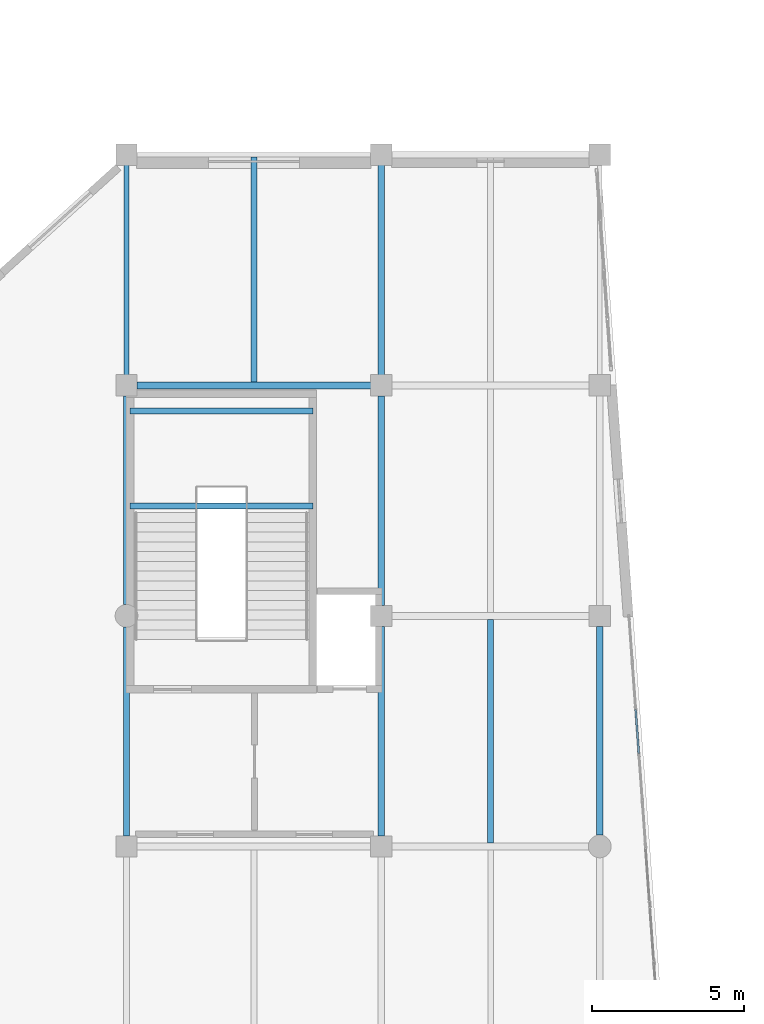
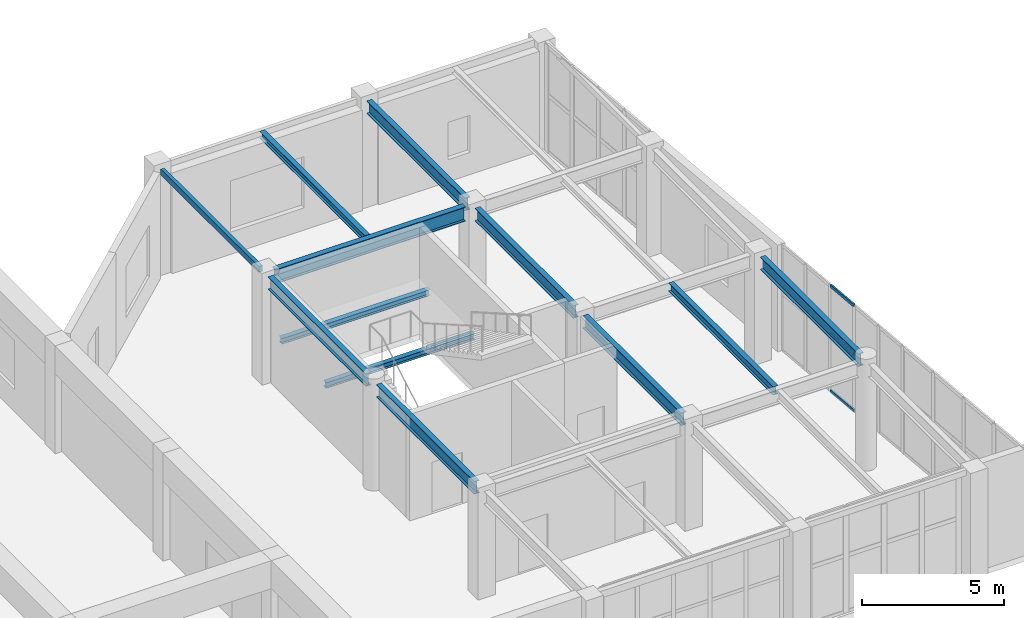
# One storey, part 26 of 72: 12 beams, 3 members, 1 element without a shape of its own.
"""IFC4 building model written with IfcOpenShell, lengths in metres."""

import ifcopenshell
import ifcopenshell.guid

model = None  # the IFC model being written
_history = None  # IfcOwnerHistory: only IFC2X3 demands one
_inside = {}  # id of a spatial element -> (the spatial element, [elements in it])
_under = {}  # id of a project, library or spatial element -> (it, [spatial elements below it])
_declared = {}  # id of a project -> (the project, [libraries it declares])
_typed = {}  # id of a type object -> (the type object, [elements of that type])
_made_of = {}  # id of a material, layer set ... -> (it, [elements and type objects made of it])


def new_model(schema):
    """Start an empty IFC model of exactly this schema.

    Asked for "IFC4X3", IfcOpenShell would pick the latest addendum, in which some entities
    have other attributes; the version numbers below select the first issue.
    IFC2X3 requires an IfcOwnerHistory on every rooted entity: one is made here for all.
    """
    global model, _history
    if schema == "IFC4X3":
        model = ifcopenshell.file(schema_version=(4, 3, 0, 0))
    else:
        model = ifcopenshell.file(schema=schema)
    _inside.clear()
    _under.clear()
    _declared.clear()
    _typed.clear()
    _made_of.clear()
    _history = None
    if model.schema == "IFC2X3":
        org = make("IfcOrganization", Name="unknown")
        user = make(
            "IfcPersonAndOrganization",
            ThePerson=make("IfcPerson", FamilyName="unknown"),
            TheOrganization=org,
        )
        app = make(
            "IfcApplication",
            ApplicationDeveloper=org,
            Version="unknown",
            ApplicationFullName="unknown",
            ApplicationIdentifier="unknown",
        )
        _history = make(
            "IfcOwnerHistory",
            OwningUser=user,
            OwningApplication=app,
            ChangeAction="ADDED",
            CreationDate=0,
        )
    return model


def make(cls, **values):
    """One entity of the class cls with the attributes given. An attribute that is None is left unset."""
    return model.create_entity(
        cls, **{name: value for name, value in values.items() if value is not None}
    )


def rooted(cls, **values):
    """An entity with a GlobalId (a new one), such as an element, a storey or a relation."""
    return make(cls, GlobalId=ifcopenshell.guid.new(), OwnerHistory=_history, **values)


def si_unit(unit_type, name, prefix=None):
    """IfcSIUnit, for example si_unit("LENGTHUNIT", "METRE", prefix="MILLI")."""
    return make("IfcSIUnit", UnitType=unit_type, Prefix=prefix, Name=name)


def assignment(units):
    """IfcUnitAssignment: the units of a project."""
    return None if units is None else make("IfcUnitAssignment", Units=units)


def point(xyz):
    """IfcCartesianPoint."""
    return None if xyz is None else make("IfcCartesianPoint", Coordinates=xyz)


def direction(xyz):
    """IfcDirection."""
    return None if xyz is None else make("IfcDirection", DirectionRatios=xyz)


def frame(location, z_axis=None, x_axis=None):
    """IfcAxis2Placement3D, a coordinate frame: its origin and axes. An axis left out is left unset."""
    return make(
        "IfcAxis2Placement3D",
        Location=point(location),
        Axis=direction(z_axis),
        RefDirection=direction(x_axis),
    )


def frame_2d(location, x_axis=None):
    """IfcAxis2Placement2D, a coordinate frame in the plane: its origin and x axis."""
    return make(
        "IfcAxis2Placement2D", Location=point(location), RefDirection=direction(x_axis)
    )


def origin():
    """The frame at (0, 0, 0) with its axes left unset."""
    return frame((0.0, 0.0, 0.0))


def origin_2d():
    """The frame at (0, 0) in the plane with its x axis left unset."""
    return frame_2d((0.0, 0.0))


def place(relative_to, where):
    """IfcLocalPlacement: puts the frame where relative to a parent placement (None: the world)."""
    return make(
        "IfcLocalPlacement", PlacementRelTo=relative_to, RelativePlacement=where
    )


def context(
    kind, dimensions, precision=None, world=None, true_north=None, identifier=None
):
    """IfcGeometricRepresentationContext, for example the 3D "Model" context."""
    return make(
        "IfcGeometricRepresentationContext",
        ContextIdentifier=identifier,
        ContextType=kind,
        CoordinateSpaceDimension=dimensions,
        Precision=precision,
        WorldCoordinateSystem=world,
        TrueNorth=true_north,
    )


def subcontext(parent, identifier, kind, view, scale=None):
    """IfcGeometricRepresentationSubContext, for example "Body" below "Model"."""
    return make(
        "IfcGeometricRepresentationSubContext",
        ContextIdentifier=identifier,
        ContextType=kind,
        ParentContext=parent,
        TargetScale=scale,
        TargetView=view,
    )


def project(units=None, contexts=None):
    """IfcProject with its units and contexts."""
    return rooted(
        "IfcProject",
        Name="project",
        RepresentationContexts=contexts,
        UnitsInContext=assignment(units),
    )


def spatial(cls, under=None, at=None, **own):
    """A site, building, storey or space (cls), placed at a placement, below another one or the project."""
    s = rooted(cls, ObjectPlacement=at, **own)
    if under is not None:
        _under.setdefault(under.id(), (under, []))[1].append(s)
    return s


def profile(cls, at=None, kind="AREA", **sizes):
    """A parametric profile (cls). Its sizes go by their IFC names, for example OverallWidth=200.0."""
    return make(cls, ProfileType=kind, Position=at, **sizes)


def hollow_rectangle(**sizes):
    """IfcRectangleHollowProfileDef."""
    return profile("IfcRectangleHollowProfileDef", **sizes)


def i_section(**sizes):
    """IfcIShapeProfileDef."""
    return profile("IfcIShapeProfileDef", **sizes)


def extrude(swept, where, along, depth):
    """IfcExtrudedAreaSolid: the profile swept, set in the frame where, extruded along a direction by depth."""
    return make(
        "IfcExtrudedAreaSolid",
        SweptArea=swept,
        Position=where,
        ExtrudedDirection=direction(along),
        Depth=depth,
    )


def shape(context_of_items, identifier, shape_type, items):
    """IfcShapeRepresentation: the items that make up one representation, for example the "Body"."""
    return make(
        "IfcShapeRepresentation",
        ContextOfItems=context_of_items,
        RepresentationIdentifier=identifier,
        RepresentationType=shape_type,
        Items=items,
    )


def material(Name=None, Category=None):
    """IfcMaterial."""
    return make("IfcMaterial", Name=Name, Category=Category)


def layer(
    of_material, thickness, ventilated=None, Name=None, Category=None, Priority=None
):
    """IfcMaterialLayer: one layer of a wall or slab, of a material (None: an air gap)."""
    return make(
        "IfcMaterialLayer",
        Material=of_material,
        LayerThickness=thickness,
        IsVentilated=ventilated,
        Name=Name,
        Category=Category,
        Priority=Priority,
    )


def layer_set(layers, Name=None):
    """IfcMaterialLayerSet."""
    return make("IfcMaterialLayerSet", MaterialLayers=layers, LayerSetName=Name)


def material_profile(
    of_material, cross_section, Name=None, Category=None, Priority=None
):
    """IfcMaterialProfile: a cross section and its material."""
    return make(
        "IfcMaterialProfile",
        Name=Name,
        Material=of_material,
        Profile=cross_section,
        Priority=Priority,
        Category=Category,
    )


def profile_set(profiles, Name=None, composite=None):
    """IfcMaterialProfileSet."""
    return make(
        "IfcMaterialProfileSet",
        Name=Name,
        MaterialProfiles=profiles,
        CompositeProfile=composite,
    )


def made_of(thing, what):
    """Note that an element or type object is made of a material, layer set ...; save() writes the relation."""
    if what is not None:
        _made_of.setdefault(what.id(), (what, []))[1].append(thing)
    return thing


def type_object(cls, material=None, **own):
    """A type object (cls), such as IfcWallType, which elements share."""
    return made_of(rooted(cls, **own), material)


def element(
    cls,
    number,
    at=None,
    inside=None,
    cuts=None,
    type_object=None,
    material=None,
    context=None,
    identifier="Body",
    shape_type=None,
    held_by="IfcProductDefinitionShape",
    body=None,
    shapes=None,
    **own,
):
    """One element of the class cls, such as IfcWall. Its Tag is "e" and its number.

    at: its placement. inside: the storey or other place that contains it. cuts: it is an
    opening in that element (IfcRelVoidsElement). A single representation is given by context,
    identifier, shape_type and body (its items); several are given by shapes. held_by: the class
    of the entity that holds the representations. save() writes the other relations.
    """
    e = rooted(cls, Tag="e%d" % number, ObjectPlacement=at, **own)
    if body is not None:
        shapes = [shape(context, identifier, shape_type, body)]
    if shapes is not None:
        e.Representation = make(held_by, Representations=shapes)
    if inside is not None:
        _inside.setdefault(inside.id(), (inside, []))[1].append(e)
    if cuts is not None:
        rooted(
            "IfcRelVoidsElement", RelatingBuildingElement=cuts, RelatedOpeningElement=e
        )
    if type_object is not None:
        _typed.setdefault(type_object.id(), (type_object, []))[1].append(e)
    return made_of(e, material)


def aggregate(whole, parts):
    """IfcRelAggregates: a whole, such as a stair, and the parts it consists of."""
    return rooted("IfcRelAggregates", RelatingObject=whole, RelatedObjects=parts)


def save(model, path):
    """Write the relations noted so far, then the file.

    IfcRelAggregates (storeys below a building ...), IfcRelContainedInSpatialStructure (elements
    in a storey), IfcRelDefinesByType, IfcRelAssociatesMaterial and IfcRelDeclares: one each for
    every whole, place, type object, material and project.
    """
    for whole, parts in _under.values():
        aggregate(whole, parts)
    for where, things in _inside.values():
        rooted(
            "IfcRelContainedInSpatialStructure",
            RelatedElements=things,
            RelatingStructure=where,
        )
    for kind, things in _typed.values():
        rooted("IfcRelDefinesByType", RelatedObjects=things, RelatingType=kind)
    for what, things in _made_of.values():
        rooted("IfcRelAssociatesMaterial", RelatedObjects=things, RelatingMaterial=what)
    for by, libraries in _declared.values():
        rooted("IfcRelDeclares", RelatingContext=by, RelatedDefinitions=libraries)
    model.write(path)


model = new_model("IFC4")

# Units and contexts
model_context = context("Model", 3, precision=1e-05, world=origin(), true_north=direction((0.0, 1.0)))
body_context = subcontext(model_context, "Body", "Model", "MODEL_VIEW")
ifc_project = project(units=[si_unit("LENGTHUNIT", "METRE"), si_unit("AREAUNIT", "SQUARE_METRE"), si_unit("VOLUMEUNIT", "CUBIC_METRE"), si_unit("PLANEANGLEUNIT", "RADIAN"), si_unit("MASSUNIT", "GRAM", prefix="KILO")], contexts=[model_context])

# Site, building, storey
site_placement = place(None, origin())
site = spatial("IfcSite", under=ifc_project, at=site_placement, CompositionType="ELEMENT")
building_placement = place(site_placement, origin())
building = spatial("IfcBuilding", under=site, at=building_placement, Name="Xicomal Pleat Aquarium", CompositionType="ELEMENT")
storey_placement = place(building_placement, frame((0.0, 0.0, 10.5)))
storey = spatial("IfcBuildingStorey", under=building, at=storey_placement, Name="L03", CompositionType="ELEMENT", Elevation=10.5)

# Beams
ifc_material_1 = material(Name="Structural steel A992 Gr 50", Category="steel")
ifc_material_profile_1 = material_profile(ifc_material_1, i_section(OverallWidth=0.201904296875, OverallDepth=0.2470703125, WebThickness=0.00732421875, FlangeThickness=0.010986328125, at=origin_2d()), Name="IR 250x49")
ifc_profile_set_1 = profile_set([ifc_material_profile_1], Name="Structural steel A992 Gr 50")
beam_type_1 = type_object("IfcBeamType", Name="BM-STL-IR250", PredefinedType="JOIST", material=ifc_profile_set_1)
for number, where, z_axis, x_axis, name in (
    (1, (102.719970703125, 59.949951171875, 2.0791015625), (1.0, 0.0, 0.0), (0.0, 1.0, 0.0), "ST-07-L03 half-landing bearer beam 1"),
    (2, (102.719970703125, 56.825927734375, 2.0791015625), (1.0, 0.0, 0.0), (0.0, 1.0, 0.0), "ST-07-L03 half-landing bearer beam 2"),
):
    element("IfcBeam", number, at=place(storey_placement, frame(where, z_axis=z_axis, x_axis=x_axis)), inside=storey, type_object=beam_type_1, Name=name, PredefinedType="JOIST", context=body_context, shape_type="SweptSolid", body=[
        extrude(i_section(OverallWidth=0.201904296875, OverallDepth=0.2470703125, WebThickness=0.00732421875, FlangeThickness=0.010986328125, at=origin_2d()), origin(), (0.0, 0.0, 1.0), 6.02001953125),
    ])
ifc_material_2 = material(Name="Structural steel A992 Gr 50", Category="steel")
ifc_material_profile_2 = material_profile(ifc_material_2, i_section(OverallWidth=0.202880859375, OverallDepth=0.302978515625, WebThickness=0.007568359375, FlangeThickness=0.01318359375, at=origin_2d()), Name="IR 310x60")
ifc_profile_set_2 = profile_set([ifc_material_profile_2], Name="Structural steel A992 Gr 50")
beam_type_2 = type_object("IfcBeamType", Name="BM-STL-IR310", PredefinedType="JOIST", material=ifc_profile_set_2)
beam_1_placement = place(storey_placement, frame((106.800048828125, 60.91796875, 4.423583984375), z_axis=(0.0, 1.0, 0.0), x_axis=(-1.0, 0.0, 0.0)))
element("IfcBeam", 3, at=beam_1_placement, inside=storey, type_object=beam_type_2, Name="L03 framing beam FBJ-L03-13-J-1", PredefinedType="JOIST", context=body_context, shape_type="SweptSolid", body=[
    extrude(i_section(OverallWidth=0.202880859375, OverallDepth=0.302978515625, WebThickness=0.007568359375, FlangeThickness=0.01318359375, at=origin_2d()), origin(), (0.0, 0.0, 1.0), 7.404052734375),
])
ifc_material_3 = material(Name="Structural steel A992 Gr 50", Category="steel")
ifc_material_profile_3 = material_profile(ifc_material_3, i_section(OverallWidth=0.205078125, OverallDepth=0.35400390625, WebThickness=0.009521484375, FlangeThickness=0.016845703125, at=origin_2d()), Name="IR 360x79")
ifc_profile_set_3 = profile_set([ifc_material_profile_3], Name="Structural steel A992 Gr 50")
beam_type_3 = type_object("IfcBeamType", Name="BM-STL-IR360", PredefinedType="JOIST", material=ifc_profile_set_3)
beam_2_placement = place(storey_placement, frame((114.60009765625, 45.718017578125, 4.39794921875), z_axis=(0.0, 1.0, 0.0), x_axis=(-1.0, 0.0, 0.0)))
element("IfcBeam", 4, at=beam_2_placement, inside=storey, type_object=beam_type_3, Name="L03 framing beam FBJ-L03-14-G-1", PredefinedType="JOIST", context=body_context, shape_type="SweptSolid", body=[
    extrude(i_section(OverallWidth=0.205078125, OverallDepth=0.35400390625, WebThickness=0.009521484375, FlangeThickness=0.016845703125, at=origin_2d()), origin(), (0.0, 0.0, 1.0), 7.364013671875),
])
ifc_material_4 = material(Name="Structural steel A992 Gr 50", Category="steel")
ifc_material_profile_4 = material_profile(ifc_material_4, i_section(OverallWidth=0.2119140625, OverallDepth=0.5439453125, WebThickness=0.01318359375, FlangeThickness=0.021240234375, at=origin_2d()), Name="IR 530x123")
ifc_profile_set_4 = profile_set([ifc_material_profile_4], Name="Structural steel A992 Gr 50")
beam_type_4 = type_object("IfcBeamType", Name="BM-STL-IR530", PredefinedType="BEAM", material=ifc_profile_set_4)
for number, where, z_axis, x_axis, name in (
    (5, (102.60009765625, 45.945068359375, 4.302978515625), (0.0, 1.0, 0.0), (-1.0, 0.0, 0.0), "L03 framing beam FGY-L03-13-G-H"),
    (6, (102.60009765625, 53.570068359375, 4.302978515625), (0.0, 1.0, 0.0), (-1.0, 0.0, 0.0), "L03 framing beam FGY-L03-13-H-J"),
):
    element("IfcBeam", number, at=place(storey_placement, frame(where, z_axis=z_axis, x_axis=x_axis)), inside=storey, type_object=beam_type_4, Name=name, PredefinedType="BEAM", context=body_context, shape_type="SweptSolid", body=[
        extrude(i_section(OverallWidth=0.2119140625, OverallDepth=0.5439453125, WebThickness=0.01318359375, FlangeThickness=0.021240234375, at=origin_2d()), origin(), (0.0, 0.0, 1.0), 6.885009765625),
    ])
beam_3_placement = place(storey_placement, frame((111.0, 45.945068359375, 4.302978515625), z_axis=(0.0, 1.0, 0.0), x_axis=(-1.0, 0.0, 0.0)))
element("IfcBeam", 7, at=beam_3_placement, inside=storey, type_object=beam_type_4, Name="L03 framing beam FGY-L03-14-G-H", PredefinedType="BEAM", context=body_context, shape_type="SweptSolid", body=[
    extrude(i_section(OverallWidth=0.2119140625, OverallDepth=0.5439453125, WebThickness=0.01318359375, FlangeThickness=0.021240234375, at=origin_2d()), origin(), (0.0, 0.0, 1.0), 6.909912109375),
])
beam_4_placement = place(storey_placement, frame((111.0, 53.544921875, 4.302978515625), z_axis=(0.0, 1.0, 0.0), x_axis=(-1.0, 0.0, 0.0)))
element("IfcBeam", 8, at=beam_4_placement, inside=storey, type_object=beam_type_4, Name="L03 framing beam FGY-L03-14-H-J", PredefinedType="BEAM", context=body_context, shape_type="SweptSolid", body=[
    extrude(i_section(OverallWidth=0.2119140625, OverallDepth=0.5439453125, WebThickness=0.01318359375, FlangeThickness=0.021240234375, at=origin_2d()), origin(), (0.0, 0.0, 1.0), 6.91015625),
])
beam_5_placement = place(storey_placement, frame((111.0, 61.14501953125, 4.302978515625), z_axis=(0.0, 1.0, 0.0), x_axis=(-1.0, 0.0, 0.0)))
element("IfcBeam", 9, at=beam_5_placement, inside=storey, type_object=beam_type_4, Name="L03 framing beam FGY-L03-14-J-K", PredefinedType="BEAM", context=body_context, shape_type="SweptSolid", body=[
    extrude(i_section(OverallWidth=0.2119140625, OverallDepth=0.5439453125, WebThickness=0.01318359375, FlangeThickness=0.021240234375, at=origin_2d()), origin(), (0.0, 0.0, 1.0), 6.909912109375),
])
beam_6_placement = place(storey_placement, frame((118.199951171875, 45.969970703125, 4.302978515625), z_axis=(0.0, 1.0, 0.0), x_axis=(-1.0, 0.0, 0.0)))
element("IfcBeam", 10, at=beam_6_placement, inside=storey, type_object=beam_type_4, Name="L03 framing beam FGY-L03-15-G-H", PredefinedType="BEAM", context=body_context, shape_type="SweptSolid", body=[
    extrude(i_section(OverallWidth=0.2119140625, OverallDepth=0.5439453125, WebThickness=0.01318359375, FlangeThickness=0.021240234375, at=origin_2d()), origin(), (0.0, 0.0, 1.0), 6.885009765625),
])
ifc_material_5 = material(Name="Structural steel A992 Gr 50", Category="steel")
ifc_material_profile_5 = material_profile(ifc_material_5, i_section(OverallWidth=0.22998046875, OverallDepth=0.616943359375, WebThickness=0.01318359375, FlangeThickness=0.022216796875, at=origin_2d()), Name="IR 610x140")
ifc_profile_set_5 = profile_set([ifc_material_profile_5], Name="Structural steel A992 Gr 50")
beam_type_5 = type_object("IfcBeamType", Name="BM-STL-IR610", PredefinedType="BEAM", material=ifc_profile_set_5)
beam_7_placement = place(storey_placement, frame((102.945068359375, 60.800048828125, 4.2666015625), z_axis=(1.0, 0.0, 0.0), x_axis=(0.0, 1.0, 0.0)))
element("IfcBeam", 11, at=beam_7_placement, inside=storey, type_object=beam_type_5, Name="L03 framing beam FGX-L03-13-14-J", PredefinedType="BEAM", context=body_context, shape_type="SweptSolid", body=[
    extrude(i_section(OverallWidth=0.22998046875, OverallDepth=0.616943359375, WebThickness=0.01318359375, FlangeThickness=0.022216796875, at=origin_2d()), origin(), (0.0, 0.0, 1.0), 7.7099609375),
])
ifc_material_6 = material(Name="Structural steel A500 Gr C", Category="steel")
ifc_material_profile_6 = material_profile(ifc_material_6, hollow_rectangle(XDim=0.14990234375, YDim=0.25, WallThickness=0.010009765625, at=origin_2d()), Name="OR 250x150x10")
ifc_profile_set_6 = profile_set([ifc_material_profile_6], Name="Structural steel A500 Gr C")
beam_type_6 = type_object("IfcBeamType", Name="BM-STL-OR250", PredefinedType="SPANDREL", material=ifc_profile_set_6)
beam_8_placement = place(storey_placement, frame((102.60009765625, 61.14501953125, 4.449951171875), z_axis=(0.0, 1.0, 0.0), x_axis=(-1.0, 0.0, 0.0)))
element("IfcBeam", 12, at=beam_8_placement, inside=storey, type_object=beam_type_6, Name="L03 framing beam FGY-L03-13-J-K", PredefinedType="SPANDREL", context=body_context, shape_type="SweptSolid", body=[
    extrude(hollow_rectangle(XDim=0.14990234375, YDim=0.25, WallThickness=0.010009765625, at=origin_2d()), origin(), (0.0, 0.0, 1.0), 6.909912109375),
])

# Curtain wall, members
ifc_material_7 = material(Name="Bronze anodized aluminium 6063-T6", Category="aluminium")
ifc_layer = layer(ifc_material_7, 0.159912109375)
ifc_layer_set = layer_set([ifc_layer], Name="Bronze anodized aluminium 6063-T6")
curtain_wall_type = type_object("IfcCurtainWallType", Name="CW-SYS-03", PredefinedType="NOTDEFINED", material=ifc_layer_set)
curtain_wall_placement = place(storey_placement, origin())
curtain_wall = element("IfcCurtainWall", 13, at=curtain_wall_placement, inside=storey, type_object=curtain_wall_type, Name="L03 unitised curtain wall CW-L03-159", PredefinedType="NOTDEFINED")
ifc_material_8 = material(Name="Bronze anodized aluminium 6063-T6", Category="aluminium")
ifc_material_profile_7 = material_profile(ifc_material_8, hollow_rectangle(XDim=0.06494140625, YDim=0.1298828125, WallThickness=0.00390625, at=origin_2d()), Name="ALU TRAN 65x130")
ifc_profile_set_7 = profile_set([ifc_material_profile_7], Name="Bronze anodized aluminium 6063-T6")
member_type = type_object("IfcMemberType", Name="CWT-65x130", PredefinedType="USERDEFINED", material=ifc_profile_set_7)
member_1_placement = place(storey_placement, frame((119.38232421875, 50.11767578125, 0.032470703125), z_axis=(0.072281497284, -0.997384271558, 0.0), x_axis=(0.997384271558, 0.072281497284, 0.0)))
member_1 = element("IfcMember", 14, at=member_1_placement, type_object=member_type, Name="CW-03 transom 3.1", ObjectType="TRANSOM", PredefinedType="USERDEFINED", context=body_context, shape_type="SweptSolid", body=[
    extrude(hollow_rectangle(XDim=0.06494140625, YDim=0.1298828125, WallThickness=0.00390625, at=origin_2d()), origin(), (0.0, 0.0, 1.0), 1.459228515625),
])
member_2_placement = place(storey_placement, frame((119.38232421875, 50.11767578125, 2.469970703125), z_axis=(0.072281497284, -0.997384271558, 0.0), x_axis=(0.997384271558, 0.072281497284, 0.0)))
member_2 = element("IfcMember", 15, at=member_2_placement, type_object=member_type, Name="CW-03 transom 3.2", ObjectType="TRANSOM", PredefinedType="USERDEFINED", context=body_context, shape_type="SweptSolid", body=[
    extrude(hollow_rectangle(XDim=0.06494140625, YDim=0.1298828125, WallThickness=0.00390625, at=origin_2d()), origin(), (0.0, 0.0, 1.0), 1.459228515625),
])
member_3_placement = place(storey_placement, frame((119.38232421875, 50.11767578125, 4.54248046875), z_axis=(0.072281497284, -0.997384271558, 0.0), x_axis=(0.997384271558, 0.072281497284, 0.0)))
member_3 = element("IfcMember", 16, at=member_3_placement, type_object=member_type, Name="CW-03 transom 3.3", ObjectType="TRANSOM", PredefinedType="USERDEFINED", context=body_context, shape_type="SweptSolid", body=[
    extrude(hollow_rectangle(XDim=0.06494140625, YDim=0.1298828125, WallThickness=0.00390625, at=origin_2d()), origin(), (0.0, 0.0, 1.0), 1.459228515625),
])
aggregate(curtain_wall, [member_1, member_2, member_3])

save(model, "model.ifc")
